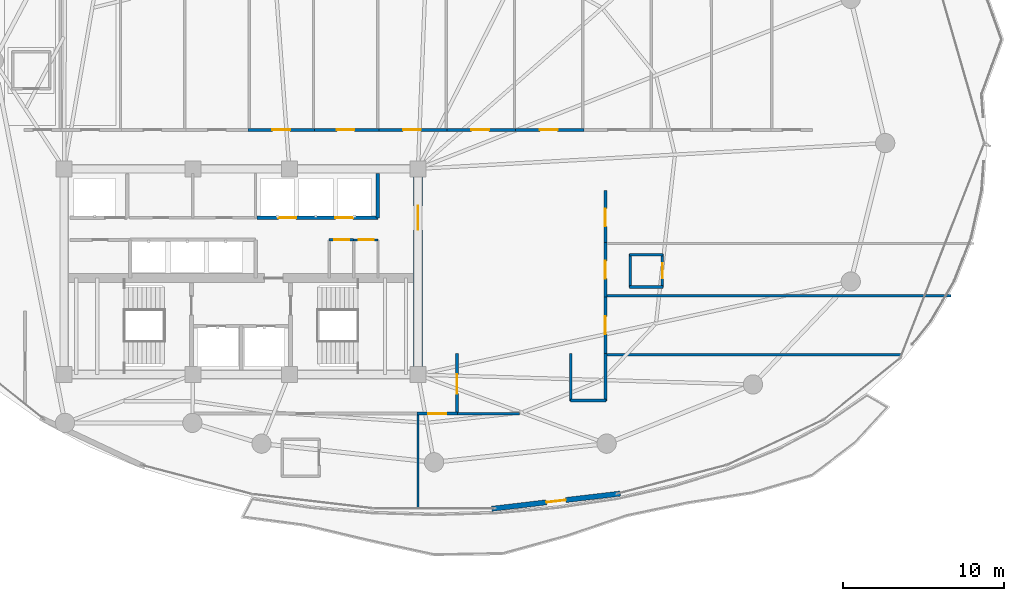
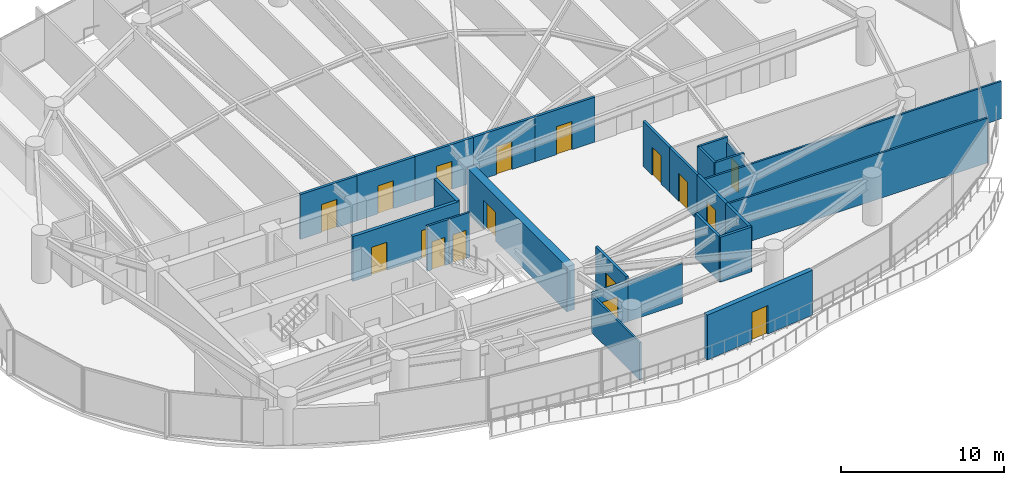
# One storey, part 27 of 34: 27 walls, 17 doors, 17 openings.
"""IFC4 building model written with IfcOpenShell, lengths in metres."""

import ifcopenshell
import ifcopenshell.guid

model = None  # the IFC model being written
_history = None  # IfcOwnerHistory: only IFC2X3 demands one
_inside = {}  # id of a spatial element -> (the spatial element, [elements in it])
_under = {}  # id of a project, library or spatial element -> (it, [spatial elements below it])
_declared = {}  # id of a project -> (the project, [libraries it declares])
_typed = {}  # id of a type object -> (the type object, [elements of that type])
_made_of = {}  # id of a material, layer set ... -> (it, [elements and type objects made of it])


def new_model(schema):
    """Start an empty IFC model of exactly this schema.

    Asked for "IFC4X3", IfcOpenShell would pick the latest addendum, in which some entities
    have other attributes; the version numbers below select the first issue.
    IFC2X3 requires an IfcOwnerHistory on every rooted entity: one is made here for all.
    """
    global model, _history
    if schema == "IFC4X3":
        model = ifcopenshell.file(schema_version=(4, 3, 0, 0))
    else:
        model = ifcopenshell.file(schema=schema)
    _inside.clear()
    _under.clear()
    _declared.clear()
    _typed.clear()
    _made_of.clear()
    _history = None
    if model.schema == "IFC2X3":
        org = make("IfcOrganization", Name="unknown")
        user = make(
            "IfcPersonAndOrganization",
            ThePerson=make("IfcPerson", FamilyName="unknown"),
            TheOrganization=org,
        )
        app = make(
            "IfcApplication",
            ApplicationDeveloper=org,
            Version="unknown",
            ApplicationFullName="unknown",
            ApplicationIdentifier="unknown",
        )
        _history = make(
            "IfcOwnerHistory",
            OwningUser=user,
            OwningApplication=app,
            ChangeAction="ADDED",
            CreationDate=0,
        )
    return model


def make(cls, **values):
    """One entity of the class cls with the attributes given. An attribute that is None is left unset."""
    return model.create_entity(
        cls, **{name: value for name, value in values.items() if value is not None}
    )


def rooted(cls, **values):
    """An entity with a GlobalId (a new one), such as an element, a storey or a relation."""
    return make(cls, GlobalId=ifcopenshell.guid.new(), OwnerHistory=_history, **values)


def si_unit(unit_type, name, prefix=None):
    """IfcSIUnit, for example si_unit("LENGTHUNIT", "METRE", prefix="MILLI")."""
    return make("IfcSIUnit", UnitType=unit_type, Prefix=prefix, Name=name)


def assignment(units):
    """IfcUnitAssignment: the units of a project."""
    return None if units is None else make("IfcUnitAssignment", Units=units)


def point(xyz):
    """IfcCartesianPoint."""
    return None if xyz is None else make("IfcCartesianPoint", Coordinates=xyz)


def direction(xyz):
    """IfcDirection."""
    return None if xyz is None else make("IfcDirection", DirectionRatios=xyz)


def frame(location, z_axis=None, x_axis=None):
    """IfcAxis2Placement3D, a coordinate frame: its origin and axes. An axis left out is left unset."""
    return make(
        "IfcAxis2Placement3D",
        Location=point(location),
        Axis=direction(z_axis),
        RefDirection=direction(x_axis),
    )


def frame_2d(location, x_axis=None):
    """IfcAxis2Placement2D, a coordinate frame in the plane: its origin and x axis."""
    return make(
        "IfcAxis2Placement2D", Location=point(location), RefDirection=direction(x_axis)
    )


def origin():
    """The frame at (0, 0, 0) with its axes left unset."""
    return frame((0.0, 0.0, 0.0))


def place(relative_to, where):
    """IfcLocalPlacement: puts the frame where relative to a parent placement (None: the world)."""
    return make(
        "IfcLocalPlacement", PlacementRelTo=relative_to, RelativePlacement=where
    )


def context(
    kind, dimensions, precision=None, world=None, true_north=None, identifier=None
):
    """IfcGeometricRepresentationContext, for example the 3D "Model" context."""
    return make(
        "IfcGeometricRepresentationContext",
        ContextIdentifier=identifier,
        ContextType=kind,
        CoordinateSpaceDimension=dimensions,
        Precision=precision,
        WorldCoordinateSystem=world,
        TrueNorth=true_north,
    )


def subcontext(parent, identifier, kind, view, scale=None):
    """IfcGeometricRepresentationSubContext, for example "Body" below "Model"."""
    return make(
        "IfcGeometricRepresentationSubContext",
        ContextIdentifier=identifier,
        ContextType=kind,
        ParentContext=parent,
        TargetScale=scale,
        TargetView=view,
    )


def project(units=None, contexts=None):
    """IfcProject with its units and contexts."""
    return rooted(
        "IfcProject",
        Name="project",
        RepresentationContexts=contexts,
        UnitsInContext=assignment(units),
    )


def spatial(cls, under=None, at=None, **own):
    """A site, building, storey or space (cls), placed at a placement, below another one or the project."""
    s = rooted(cls, ObjectPlacement=at, **own)
    if under is not None:
        _under.setdefault(under.id(), (under, []))[1].append(s)
    return s


def profile(cls, at=None, kind="AREA", **sizes):
    """A parametric profile (cls). Its sizes go by their IFC names, for example OverallWidth=200.0."""
    return make(cls, ProfileType=kind, Position=at, **sizes)


def rectangle(**sizes):
    """IfcRectangleProfileDef."""
    return profile("IfcRectangleProfileDef", **sizes)


def extrude(swept, where, along, depth):
    """IfcExtrudedAreaSolid: the profile swept, set in the frame where, extruded along a direction by depth."""
    return make(
        "IfcExtrudedAreaSolid",
        SweptArea=swept,
        Position=where,
        ExtrudedDirection=direction(along),
        Depth=depth,
    )


def shape(context_of_items, identifier, shape_type, items):
    """IfcShapeRepresentation: the items that make up one representation, for example the "Body"."""
    return make(
        "IfcShapeRepresentation",
        ContextOfItems=context_of_items,
        RepresentationIdentifier=identifier,
        RepresentationType=shape_type,
        Items=items,
    )


def material(Name=None, Category=None):
    """IfcMaterial."""
    return make("IfcMaterial", Name=Name, Category=Category)


def layer(
    of_material, thickness, ventilated=None, Name=None, Category=None, Priority=None
):
    """IfcMaterialLayer: one layer of a wall or slab, of a material (None: an air gap)."""
    return make(
        "IfcMaterialLayer",
        Material=of_material,
        LayerThickness=thickness,
        IsVentilated=ventilated,
        Name=Name,
        Category=Category,
        Priority=Priority,
    )


def layer_set(layers, Name=None):
    """IfcMaterialLayerSet."""
    return make("IfcMaterialLayerSet", MaterialLayers=layers, LayerSetName=Name)


def made_of(thing, what):
    """Note that an element or type object is made of a material, layer set ...; save() writes the relation."""
    if what is not None:
        _made_of.setdefault(what.id(), (what, []))[1].append(thing)
    return thing


def type_object(cls, material=None, **own):
    """A type object (cls), such as IfcWallType, which elements share."""
    return made_of(rooted(cls, **own), material)


def element(
    cls,
    number,
    at=None,
    inside=None,
    cuts=None,
    type_object=None,
    material=None,
    context=None,
    identifier="Body",
    shape_type=None,
    held_by="IfcProductDefinitionShape",
    body=None,
    shapes=None,
    **own,
):
    """One element of the class cls, such as IfcWall. Its Tag is "e" and its number.

    at: its placement. inside: the storey or other place that contains it. cuts: it is an
    opening in that element (IfcRelVoidsElement). A single representation is given by context,
    identifier, shape_type and body (its items); several are given by shapes. held_by: the class
    of the entity that holds the representations. save() writes the other relations.
    """
    e = rooted(cls, Tag="e%d" % number, ObjectPlacement=at, **own)
    if body is not None:
        shapes = [shape(context, identifier, shape_type, body)]
    if shapes is not None:
        e.Representation = make(held_by, Representations=shapes)
    if inside is not None:
        _inside.setdefault(inside.id(), (inside, []))[1].append(e)
    if cuts is not None:
        rooted(
            "IfcRelVoidsElement", RelatingBuildingElement=cuts, RelatedOpeningElement=e
        )
    if type_object is not None:
        _typed.setdefault(type_object.id(), (type_object, []))[1].append(e)
    return made_of(e, material)


def fill(opening, filler):
    """IfcRelFillsElement: the door or window that sits in an opening."""
    return rooted(
        "IfcRelFillsElement",
        RelatingOpeningElement=opening,
        RelatedBuildingElement=filler,
    )


def aggregate(whole, parts):
    """IfcRelAggregates: a whole, such as a stair, and the parts it consists of."""
    return rooted("IfcRelAggregates", RelatingObject=whole, RelatedObjects=parts)


def save(model, path):
    """Write the relations noted so far, then the file.

    IfcRelAggregates (storeys below a building ...), IfcRelContainedInSpatialStructure (elements
    in a storey), IfcRelDefinesByType, IfcRelAssociatesMaterial and IfcRelDeclares: one each for
    every whole, place, type object, material and project.
    """
    for whole, parts in _under.values():
        aggregate(whole, parts)
    for where, things in _inside.values():
        rooted(
            "IfcRelContainedInSpatialStructure",
            RelatedElements=things,
            RelatingStructure=where,
        )
    for kind, things in _typed.values():
        rooted("IfcRelDefinesByType", RelatedObjects=things, RelatingType=kind)
    for what, things in _made_of.values():
        rooted("IfcRelAssociatesMaterial", RelatedObjects=things, RelatingMaterial=what)
    for by, libraries in _declared.values():
        rooted("IfcRelDeclares", RelatingContext=by, RelatedDefinitions=libraries)
    model.write(path)


model = new_model("IFC4")

# Units and contexts
model_context = context("Model", 3, precision=1e-05, world=origin(), true_north=direction((0.0, 1.0)))
body_context = subcontext(model_context, "Body", "Model", "MODEL_VIEW")
ifc_project = project(units=[si_unit("LENGTHUNIT", "METRE"), si_unit("AREAUNIT", "SQUARE_METRE"), si_unit("VOLUMEUNIT", "CUBIC_METRE"), si_unit("PLANEANGLEUNIT", "RADIAN"), si_unit("MASSUNIT", "GRAM", prefix="KILO")], contexts=[model_context])

# Site, building, storey
site_placement = place(None, origin())
site = spatial("IfcSite", under=ifc_project, at=site_placement, CompositionType="ELEMENT")
building_placement = place(site_placement, origin())
building = spatial("IfcBuilding", under=site, at=building_placement, Name="Kazevale Care Tower and Concert Hall", CompositionType="ELEMENT")
storey_placement = place(building_placement, frame((0.0, 0.0, 160.199951171875)))
storey = spatial("IfcBuildingStorey", under=building, at=storey_placement, Name="L42", CompositionType="ELEMENT", Elevation=160.199951171875)

# Wall, opening, door
ifc_material_1 = material(Name="Acoustic Gypsum on Steel Stud", Category="steel")
ifc_layer_1 = layer(ifc_material_1, 0.139892578125)
ifc_layer_set_1 = layer_set([ifc_layer_1], Name="Acoustic Gypsum on Steel Stud")
wall_type_1 = type_object("IfcWallType", Name="Acoustic Care & Suite Partition 140", PredefinedType="PARTITIONING", material=ifc_layer_set_1)
wall_1_placement = place(storey_placement, frame((40.0, 31.97998046875, 0.0), z_axis=(0.0, 0.0, 1.0), x_axis=(1.0, 0.0, 0.0)))
wall_1 = element("IfcWall", 1, at=wall_1_placement, inside=storey, type_object=wall_type_1, Name="wall:L42:ka_en2", PredefinedType="PARTITIONING", context=body_context, shape_type="SweptSolid", body=[
    extrude(rectangle(XDim=1.52001953125, YDim=0.139892578125, at=frame_2d((0.760009765625, 0.0))), origin(), (0.0, 0.0, 1.0), 3.360107421875),
])
opening_1_placement = place(wall_1_placement, frame((0.320068359375, 0.0, 0.0)))
opening_1 = element("IfcOpeningElement", 2, at=opening_1_placement, cuts=wall_1, Name="Opening ID-900", PredefinedType="OPENING", context=body_context, shape_type="SweptSolid", body=[
    extrude(rectangle(XDim=0.919921875, YDim=2.10009765625, at=frame_2d((0.4599609375, 1.050048828125))), frame((0.0, 0.079833984375, 0.0), z_axis=(0.0, -1.0, 0.0), x_axis=(1.0, 0.0, 0.0)), (0.0, 0.0, 1.0), 0.159912109375),
])
ifc_material_2 = material(Name="Oak Timber Fire Leaf", Category="wood")
door_type_1 = type_object("IfcDoorType", Name="Bathroom & Service Door 920x2100", OperationType="NOTDEFINED", PredefinedType="DOOR", material=ifc_material_2)
door_1_placement = place(opening_1_placement, origin())
door_1 = element("IfcDoor", 3, at=door_1_placement, inside=storey, type_object=door_type_1, Name="door:L42:d_kae2", OperationType="SINGLE_SWING_RIGHT", OverallHeight=2.10009765625, OverallWidth=0.919921875, PredefinedType="DOOR", context=body_context, shape_type="SweptSolid", body=[
    extrude(rectangle(XDim=0.919921875, YDim=2.10009765625, at=frame_2d((0.4599609375, 1.050048828125))), frame((0.0, 0.02490234375, 0.0), z_axis=(0.0, -1.0, 0.0), x_axis=(1.0, 0.0, 0.0)), (0.0, 0.0, 1.0), 0.050048828125),
])
fill(opening_1, door_1)

# Walls
wall_2_placement = place(storey_placement, frame((55.6201171875, 24.840087890625, 0.0), z_axis=(0.0, 0.0, 1.0), x_axis=(1.0, 0.0, 0.0)))
element("IfcWall", 4, at=wall_2_placement, inside=storey, type_object=wall_type_1, Name="wall:L42:auto_036", PredefinedType="PARTITIONING", context=body_context, shape_type="SweptSolid", body=[
    extrude(rectangle(XDim=18.44482421875, YDim=0.139892578125, at=frame_2d((9.222412109375, 0.0))), origin(), (0.0, 0.0, 1.0), 3.360107421875),
])
wall_3_placement = place(storey_placement, frame((50.31494140625, 21.175048828125, 0.0), z_axis=(0.0, 0.0, 1.0), x_axis=(-1.0, 0.0, 0.0)))
element("IfcWall", 5, at=wall_3_placement, inside=storey, type_object=wall_type_1, Name="wall:L42:auto_037", PredefinedType="PARTITIONING", context=body_context, shape_type="SweptSolid", body=[
    extrude(rectangle(XDim=3.919921875, YDim=0.139892578125, at=frame_2d((1.9599609375, 0.0))), origin(), (0.0, 0.0, 1.0), 2.99609375),
])
wall_4_placement = place(storey_placement, frame((55.6201171875, 28.5, 0.0), z_axis=(0.0, 0.0, 1.0), x_axis=(1.0, 0.0, 0.0)))
element("IfcWall", 6, at=wall_4_placement, inside=storey, type_object=wall_type_1, Name="wall:L42:auto_038", PredefinedType="PARTITIONING", context=body_context, shape_type="SweptSolid", body=[
    extrude(rectangle(XDim=21.519775390625, YDim=0.139892578125, at=frame_2d((10.759765625, 0.0))), origin(), (0.0, 0.0, 1.0), 2.80615234375),
])
wall_5_placement = place(storey_placement, frame((44.0, 21.205078125, 0.0), z_axis=(0.0, 0.0, 1.0), x_axis=(0.0, -1.0, 0.0)))
element("IfcWall", 7, at=wall_5_placement, inside=storey, type_object=wall_type_1, Name="wall:L42:auto_040", PredefinedType="PARTITIONING", context=body_context, shape_type="SweptSolid", body=[
    extrude(rectangle(XDim=5.906005859375, YDim=0.139892578125, at=frame_2d((2.953125, 0.0))), origin(), (0.0, 0.0, 1.0), 2.80615234375),
])

# Wall, opening, door
ifc_material_3 = material(Name="Concrete C60", Category="concrete")
ifc_layer_2 = layer(ifc_material_3, 0.550048828125)
ifc_layer_set_2 = layer_set([ifc_layer_2], Name="Concrete C60")
wall_type_2 = type_object("IfcWallType", Name="Core Shear Wall 550 C60", PredefinedType="SHEAR", material=ifc_layer_set_2)
wall_6_placement = place(storey_placement, frame((44.0, 23.875, 0.0), z_axis=(0.0, 0.0, 1.0), x_axis=(0.0, 1.0, 0.0)))
wall_6 = element("IfcWall", 8, at=wall_6_placement, inside=storey, type_object=wall_type_2, Name="wall:L42:core:E", PredefinedType="SHEAR", context=body_context, shape_type="SweptSolid", body=[
    extrude(rectangle(XDim=12.25, YDim=0.550048828125, at=frame_2d((6.125, 0.0))), origin(), (0.0, 0.0, 1.0), 3.360107421875),
])
opening_2_placement = place(wall_6_placement, frame((8.72509765625, 0.0, 0.0)))
opening_2 = element("IfcOpeningElement", 9, at=opening_2_placement, cuts=wall_6, Name="Opening FD-60D", PredefinedType="OPENING", context=body_context, shape_type="SweptSolid", body=[
    extrude(rectangle(XDim=1.5, YDim=2.14990234375, at=frame_2d((0.75, 1.074951171875))), frame((0.0, 0.284912109375, 0.0), z_axis=(0.0, -1.0, 0.0), x_axis=(1.0, 0.0, 0.0)), (0.0, 0.0, 1.0), 0.570068359375),
])
door_type_2 = type_object("IfcDoorType", Name="Double Lobby & Auditorium Fire Door 1500x2150", OperationType="NOTDEFINED", PredefinedType="DOOR", material=ifc_material_2)
door_2_placement = place(opening_2_placement, origin())
door_2 = element("IfcDoor", 10, at=door_2_placement, inside=storey, type_object=door_type_2, Name="door:L42:core_east_out", OperationType="DOUBLE_DOOR_SINGLE_SWING", OverallHeight=2.14990234375, OverallWidth=1.5, PredefinedType="DOOR", context=body_context, shape_type="SweptSolid", body=[
    extrude(rectangle(XDim=1.5, YDim=2.14990234375, at=frame_2d((0.75, 1.074951171875))), frame((0.0, 0.02490234375, 0.0), z_axis=(0.0, -1.0, 0.0), x_axis=(1.0, 0.0, 0.0)), (0.0, 0.0, 1.0), 0.050048828125),
])
fill(opening_2, door_2)

# Wall, openings, doors
ifc_material_4 = material(Name="Concrete C40", Category="concrete")
ifc_layer_3 = layer(ifc_material_4, 0.219970703125)
ifc_layer_set_3 = layer_set([ifc_layer_3], Name="Concrete C40")
wall_type_3 = type_object("IfcWallType", Name="Elevator Hoistway Shaft Wall 220", PredefinedType="SOLIDWALL", material=ifc_layer_set_3)
wall_7_placement = place(storey_placement, frame((33.97998046875, 33.35009765625, 0.0), z_axis=(0.0, 0.0, 1.0), x_axis=(1.0, 0.0, 0.0)))
wall_7 = element("IfcWall", 11, at=wall_7_placement, inside=storey, type_object=wall_type_3, Name="wall:L42:c_pm_s", PredefinedType="SOLIDWALL", context=body_context, shape_type="SweptSolid", body=[
    extrude(rectangle(XDim=7.5400390625, YDim=0.219970703125, at=frame_2d((3.77001953125, 0.0))), origin(), (0.0, 0.0, 1.0), 3.360107421875),
])
opening_3_placement = place(wall_7_placement, frame((1.3349609375, 0.0, 0.0)))
opening_3 = element("IfcOpeningElement", 12, at=opening_3_placement, cuts=wall_7, Name="Opening LD-PAX", PredefinedType="OPENING", context=body_context, shape_type="SweptSolid", body=[
    extrude(rectangle(XDim=1.10009765625, YDim=2.10009765625, at=frame_2d((0.550048828125, 1.050048828125))), frame((0.0, 0.119873046875, 0.0), z_axis=(0.0, -1.0, 0.0), x_axis=(1.0, 0.0, 0.0)), (0.0, 0.0, 1.0), 0.239990234375),
])
opening_4_placement = place(wall_7_placement, frame((4.87890625, 0.0, 0.0)))
opening_4 = element("IfcOpeningElement", 13, at=opening_4_placement, cuts=wall_7, Name="Opening LD-PAX", PredefinedType="OPENING", context=body_context, shape_type="SweptSolid", body=[
    extrude(rectangle(XDim=1.10009765625, YDim=2.10009765625, at=frame_2d((0.550048828125, 1.050048828125))), frame((0.0, 0.119873046875, 0.0), z_axis=(0.0, -1.0, 0.0), x_axis=(1.0, 0.0, 0.0)), (0.0, 0.0, 1.0), 0.239990234375),
])
ifc_material_5 = material(Name="Stainless Steel 316", Category="steel")
door_type_3 = type_object("IfcDoorType", Name="Passenger Lift Sliding Landing Door 1100x2100", OperationType="NOTDEFINED", PredefinedType="DOOR", material=ifc_material_5)
door_3_placement = place(opening_3_placement, origin())
door_3 = element("IfcDoor", 14, at=door_3_placement, inside=storey, type_object=door_type_3, Name="door:L42:ld_pm1", OperationType="SLIDING_TO_LEFT", OverallHeight=2.10009765625, OverallWidth=1.10009765625, PredefinedType="DOOR", context=body_context, shape_type="SweptSolid", body=[
    extrude(rectangle(XDim=1.10009765625, YDim=2.10009765625, at=frame_2d((0.550048828125, 1.050048828125))), frame((0.0, 0.02490234375, 0.0), z_axis=(0.0, -1.0, 0.0), x_axis=(1.0, 0.0, 0.0)), (0.0, 0.0, 1.0), 0.050048828125),
])
fill(opening_3, door_3)
door_4_placement = place(opening_4_placement, origin())
door_4 = element("IfcDoor", 15, at=door_4_placement, inside=storey, type_object=door_type_3, Name="door:L42:ld_pm2", OperationType="SLIDING_TO_RIGHT", OverallHeight=2.10009765625, OverallWidth=1.10009765625, PredefinedType="DOOR", context=body_context, shape_type="SweptSolid", body=[
    extrude(rectangle(XDim=1.10009765625, YDim=2.10009765625, at=frame_2d((0.550048828125, 1.050048828125))), frame((0.0, 0.02490234375, 0.0), z_axis=(0.0, -1.0, 0.0), x_axis=(1.0, 0.0, 0.0)), (0.0, 0.0, 1.0), 0.050048828125),
])
fill(opening_4, door_4)

# Wall
wall_8_placement = place(storey_placement, frame((41.5, 33.35009765625, 0.0), z_axis=(0.0, 0.0, 1.0), x_axis=(0.0, 1.0, 0.0)))
element("IfcWall", 16, at=wall_8_placement, inside=storey, type_object=wall_type_3, Name="wall:L42:c_pm_e", PredefinedType="SOLIDWALL", context=body_context, shape_type="SweptSolid", body=[
    extrude(rectangle(XDim=2.75, YDim=0.219970703125, at=frame_2d((1.375, 0.0))), origin(), (0.0, 0.0, 1.0), 3.360107421875),
])

# Wall, opening, door
ifc_material_6 = material(Name="Concrete C40 and Acoustic Gypsum", Category="concrete")
ifc_layer_4 = layer(ifc_material_6, 0.179931640625)
ifc_layer_set_4 = layer_set([ifc_layer_4], Name="Concrete C40 and Acoustic Gypsum")
wall_type_4 = type_object("IfcWallType", Name="Fire-Rated Corridor & Party Wall 180", PredefinedType="PARTITIONING", material=ifc_layer_set_4)
wall_9_placement = place(storey_placement, frame((33.43505859375, 38.824951171875, 0.0), z_axis=(0.0, 0.0, 1.0), x_axis=(1.0, 0.0, 0.0)))
wall_9 = element("IfcWall", 17, at=wall_9_placement, inside=storey, type_object=wall_type_4, Name="wall:L42:auto_005", PredefinedType="PARTITIONING", context=body_context, shape_type="SweptSolid", body=[
    extrude(rectangle(XDim=4.1298828125, YDim=0.179931640625, at=frame_2d((2.06494140625, 0.0))), origin(), (0.0, 0.0, 1.0), 3.360107421875),
])
opening_5_placement = place(wall_9_placement, frame((1.514892578125, 0.0, 0.0)))
opening_5 = element("IfcOpeningElement", 18, at=opening_5_placement, cuts=wall_9, Name="Opening ID-1100", PredefinedType="OPENING", context=body_context, shape_type="SweptSolid", body=[
    extrude(rectangle(XDim=1.10009765625, YDim=2.10009765625, at=frame_2d((0.550048828125, 1.050048828125))), frame((0.0, 0.099853515625, 0.0), z_axis=(0.0, -1.0, 0.0), x_axis=(1.0, 0.0, 0.0)), (0.0, 0.0, 1.0), 0.199951171875),
])
door_type_4 = type_object("IfcDoorType", Name="Care Bedroom Accessible Door 1100x2100", OperationType="NOTDEFINED", PredefinedType="DOOR", material=ifc_material_2)
door_5_placement = place(opening_5_placement, origin())
door_5 = element("IfcDoor", 19, at=door_5_placement, inside=storey, type_object=door_type_4, Name="door:L42:ad_005", OperationType="SINGLE_SWING_LEFT", OverallHeight=2.10009765625, OverallWidth=1.10009765625, PredefinedType="DOOR", context=body_context, shape_type="SweptSolid", body=[
    extrude(rectangle(XDim=1.10009765625, YDim=2.10009765625, at=frame_2d((0.550048828125, 1.050048828125))), frame((0.0, 0.02490234375, 0.0), z_axis=(0.0, -1.0, 0.0), x_axis=(1.0, 0.0, 0.0)), (0.0, 0.0, 1.0), 0.050048828125),
])
fill(opening_5, door_5)

wall_10_placement = place(storey_placement, frame((37.43505859375, 38.824951171875, 0.0), z_axis=(0.0, 0.0, 1.0), x_axis=(1.0, 0.0, 0.0)))
wall_10 = element("IfcWall", 20, at=wall_10_placement, inside=storey, type_object=wall_type_4, Name="wall:L42:auto_006", PredefinedType="PARTITIONING", context=body_context, shape_type="SweptSolid", body=[
    extrude(rectangle(XDim=4.1298828125, YDim=0.179931640625, at=frame_2d((2.06494140625, 0.0))), origin(), (0.0, 0.0, 1.0), 3.360107421875),
])
opening_6_placement = place(wall_10_placement, frame((1.514892578125, 0.0, 0.0)))
opening_6 = element("IfcOpeningElement", 21, at=opening_6_placement, cuts=wall_10, Name="Opening ID-1100", PredefinedType="OPENING", context=body_context, shape_type="SweptSolid", body=[
    extrude(rectangle(XDim=1.10009765625, YDim=2.10009765625, at=frame_2d((0.550048828125, 1.050048828125))), frame((0.0, 0.099853515625, 0.0), z_axis=(0.0, -1.0, 0.0), x_axis=(1.0, 0.0, 0.0)), (0.0, 0.0, 1.0), 0.199951171875),
])
door_6_placement = place(opening_6_placement, origin())
door_6 = element("IfcDoor", 22, at=door_6_placement, inside=storey, type_object=door_type_4, Name="door:L42:ad_006", OperationType="SINGLE_SWING_LEFT", OverallHeight=2.10009765625, OverallWidth=1.10009765625, PredefinedType="DOOR", context=body_context, shape_type="SweptSolid", body=[
    extrude(rectangle(XDim=1.10009765625, YDim=2.10009765625, at=frame_2d((0.550048828125, 1.050048828125))), frame((0.0, 0.02490234375, 0.0), z_axis=(0.0, -1.0, 0.0), x_axis=(1.0, 0.0, 0.0)), (0.0, 0.0, 1.0), 0.050048828125),
])
fill(opening_6, door_6)

wall_11_placement = place(storey_placement, frame((41.43505859375, 38.824951171875, 0.0), z_axis=(0.0, 0.0, 1.0), x_axis=(1.0, 0.0, 0.0)))
wall_11 = element("IfcWall", 23, at=wall_11_placement, inside=storey, type_object=wall_type_4, Name="wall:L42:auto_007", PredefinedType="PARTITIONING", context=body_context, shape_type="SweptSolid", body=[
    extrude(rectangle(XDim=4.3798828125, YDim=0.179931640625, at=frame_2d((2.18994140625, 0.0))), origin(), (0.0, 0.0, 1.0), 3.360107421875),
])
opening_7_placement = place(wall_11_placement, frame((1.639892578125, 0.0, 0.0)))
opening_7 = element("IfcOpeningElement", 24, at=opening_7_placement, cuts=wall_11, Name="Opening ID-1100", PredefinedType="OPENING", context=body_context, shape_type="SweptSolid", body=[
    extrude(rectangle(XDim=1.10009765625, YDim=2.10009765625, at=frame_2d((0.550048828125, 1.050048828125))), frame((0.0, 0.099853515625, 0.0), z_axis=(0.0, -1.0, 0.0), x_axis=(1.0, 0.0, 0.0)), (0.0, 0.0, 1.0), 0.199951171875),
])
door_7_placement = place(opening_7_placement, origin())
door_7 = element("IfcDoor", 25, at=door_7_placement, inside=storey, type_object=door_type_4, Name="door:L42:ad_007", OperationType="SINGLE_SWING_LEFT", OverallHeight=2.10009765625, OverallWidth=1.10009765625, PredefinedType="DOOR", context=body_context, shape_type="SweptSolid", body=[
    extrude(rectangle(XDim=1.10009765625, YDim=2.10009765625, at=frame_2d((0.550048828125, 1.050048828125))), frame((0.0, 0.02490234375, 0.0), z_axis=(0.0, -1.0, 0.0), x_axis=(1.0, 0.0, 0.0)), (0.0, 0.0, 1.0), 0.050048828125),
])
fill(opening_7, door_7)

wall_12_placement = place(storey_placement, frame((45.68505859375, 38.824951171875, 0.0), z_axis=(0.0, 0.0, 1.0), x_axis=(1.0, 0.0, 0.0)))
wall_12 = element("IfcWall", 26, at=wall_12_placement, inside=storey, type_object=wall_type_4, Name="wall:L42:auto_008", PredefinedType="PARTITIONING", context=body_context, shape_type="SweptSolid", body=[
    extrude(rectangle(XDim=4.3798828125, YDim=0.179931640625, at=frame_2d((2.18994140625, 0.0))), origin(), (0.0, 0.0, 1.0), 3.360107421875),
])
opening_8_placement = place(wall_12_placement, frame((1.639892578125, 0.0, 0.0)))
opening_8 = element("IfcOpeningElement", 27, at=opening_8_placement, cuts=wall_12, Name="Opening ID-1100", PredefinedType="OPENING", context=body_context, shape_type="SweptSolid", body=[
    extrude(rectangle(XDim=1.10009765625, YDim=2.10009765625, at=frame_2d((0.550048828125, 1.050048828125))), frame((0.0, 0.099853515625, 0.0), z_axis=(0.0, -1.0, 0.0), x_axis=(1.0, 0.0, 0.0)), (0.0, 0.0, 1.0), 0.199951171875),
])
door_8_placement = place(opening_8_placement, origin())
door_8 = element("IfcDoor", 28, at=door_8_placement, inside=storey, type_object=door_type_4, Name="door:L42:ad_008", OperationType="SINGLE_SWING_LEFT", OverallHeight=2.10009765625, OverallWidth=1.10009765625, PredefinedType="DOOR", context=body_context, shape_type="SweptSolid", body=[
    extrude(rectangle(XDim=1.10009765625, YDim=2.10009765625, at=frame_2d((0.550048828125, 1.050048828125))), frame((0.0, 0.02490234375, 0.0), z_axis=(0.0, -1.0, 0.0), x_axis=(1.0, 0.0, 0.0)), (0.0, 0.0, 1.0), 0.050048828125),
])
fill(opening_8, door_8)

wall_13_placement = place(storey_placement, frame((49.93505859375, 38.824951171875, 0.0), z_axis=(0.0, 0.0, 1.0), x_axis=(1.0, 0.0, 0.0)))
wall_13 = element("IfcWall", 29, at=wall_13_placement, inside=storey, type_object=wall_type_4, Name="wall:L42:auto_009", PredefinedType="PARTITIONING", context=body_context, shape_type="SweptSolid", body=[
    extrude(rectangle(XDim=4.3798828125, YDim=0.179931640625, at=frame_2d((2.18994140625, 0.0))), origin(), (0.0, 0.0, 1.0), 3.360107421875),
])
opening_9_placement = place(wall_13_placement, frame((1.639892578125, 0.0, 0.0)))
opening_9 = element("IfcOpeningElement", 30, at=opening_9_placement, cuts=wall_13, Name="Opening ID-1100", PredefinedType="OPENING", context=body_context, shape_type="SweptSolid", body=[
    extrude(rectangle(XDim=1.10009765625, YDim=2.10009765625, at=frame_2d((0.550048828125, 1.050048828125))), frame((0.0, 0.099853515625, 0.0), z_axis=(0.0, -1.0, 0.0), x_axis=(1.0, 0.0, 0.0)), (0.0, 0.0, 1.0), 0.199951171875),
])
door_9_placement = place(opening_9_placement, origin())
door_9 = element("IfcDoor", 31, at=door_9_placement, inside=storey, type_object=door_type_4, Name="door:L42:ad_009", OperationType="SINGLE_SWING_LEFT", OverallHeight=2.10009765625, OverallWidth=1.10009765625, PredefinedType="DOOR", context=body_context, shape_type="SweptSolid", body=[
    extrude(rectangle(XDim=1.10009765625, YDim=2.10009765625, at=frame_2d((0.550048828125, 1.050048828125))), frame((0.0, 0.02490234375, 0.0), z_axis=(0.0, -1.0, 0.0), x_axis=(1.0, 0.0, 0.0)), (0.0, 0.0, 1.0), 0.050048828125),
])
fill(opening_9, door_9)

wall_14_placement = place(storey_placement, frame((46.425048828125, 24.905029296875, 0.0), z_axis=(0.0, 0.0, 1.0), x_axis=(0.0, -1.0, 0.0)))
wall_14 = element("IfcWall", 32, at=wall_14_placement, inside=storey, type_object=wall_type_4, Name="wall:L42:auto_014", PredefinedType="PARTITIONING", context=body_context, shape_type="SweptSolid", body=[
    extrude(rectangle(XDim=3.760009765625, YDim=0.179931640625, at=frame_2d((1.8798828125, 0.0))), origin(), (0.0, 0.0, 1.0), 3.360107421875),
])
opening_10_placement = place(wall_14_placement, frame((1.280029296875, 0.0, 0.0)))
opening_10 = element("IfcOpeningElement", 33, at=opening_10_placement, cuts=wall_14, Name="Opening ID-1200", PredefinedType="OPENING", context=body_context, shape_type="SweptSolid", body=[
    extrude(rectangle(XDim=1.199951171875, YDim=2.14990234375, at=frame_2d((0.60009765625, 1.074951171875))), frame((0.0, 0.099853515625, 0.0), z_axis=(0.0, -1.0, 0.0), x_axis=(1.0, 0.0, 0.0)), (0.0, 0.0, 1.0), 0.199951171875),
])
door_type_5 = type_object("IfcDoorType", Name="Clinical & Therapy Door 1200x2150", OperationType="NOTDEFINED", PredefinedType="DOOR", material=ifc_material_2)
door_10_placement = place(opening_10_placement, origin())
door_10 = element("IfcDoor", 34, at=door_10_placement, inside=storey, type_object=door_type_5, Name="door:L42:ad_014", OperationType="SINGLE_SWING_LEFT", OverallHeight=2.14990234375, OverallWidth=1.199951171875, PredefinedType="DOOR", context=body_context, shape_type="SweptSolid", body=[
    extrude(rectangle(XDim=1.199951171875, YDim=2.14990234375, at=frame_2d((0.60009765625, 1.074951171875))), frame((0.0, 0.02490234375, 0.0), z_axis=(0.0, -1.0, 0.0), x_axis=(1.0, 0.0, 0.0)), (0.0, 0.0, 1.0), 0.050048828125),
])
fill(opening_10, door_10)

# Walls
for number, where, z_axis, x_axis, name in (
    (35, (55.64990234375, 24.905029296875, 0.0), (0.0, 0.0, 1.0), (0.0, -1.0, 0.0), "wall:L42:auto_015"),
    (36, (53.5, 21.969970703125, 0.0), (0.0, 0.0, 1.0), (0.0, 1.0, 0.0), "wall:L42:auto_016"),
):
    element("IfcWall", number, at=place(storey_placement, frame(where, z_axis=z_axis, x_axis=x_axis)), inside=storey, type_object=wall_type_4, Name=name, PredefinedType="PARTITIONING", context=body_context, shape_type="SweptSolid", body=[
        extrude(rectangle(XDim=2.93505859375, YDim=0.179931640625, at=frame_2d((1.467529296875, 0.0))), origin(), (0.0, 0.0, 1.0), 3.360107421875),
    ])
wall_15_placement = place(storey_placement, frame((55.679931640625, 22.0, 0.0), z_axis=(0.0, 0.0, 1.0), x_axis=(-1.0, 0.0, 0.0)))
element("IfcWall", 37, at=wall_15_placement, inside=storey, type_object=wall_type_4, Name="wall:L42:auto_017", PredefinedType="PARTITIONING", context=body_context, shape_type="SweptSolid", body=[
    extrude(rectangle(XDim=2.2099609375, YDim=0.179931640625, at=frame_2d((1.10498046875, 0.0))), origin(), (0.0, 0.0, 1.0), 3.360107421875),
])

# Wall, opening, door
wall_16_placement = place(storey_placement, frame((55.64990234375, 28.56494140625, 0.0), z_axis=(0.0, 0.0, 1.0), x_axis=(0.0, -1.0, 0.0)))
wall_16 = element("IfcWall", 38, at=wall_16_placement, inside=storey, type_object=wall_type_4, Name="wall:L42:auto_018", PredefinedType="PARTITIONING", context=body_context, shape_type="SweptSolid", body=[
    extrude(rectangle(XDim=3.7900390625, YDim=0.179931640625, at=frame_2d((1.89501953125, 0.0))), origin(), (0.0, 0.0, 1.0), 3.360107421875),
])
opening_11_placement = place(wall_16_placement, frame((1.344970703125, 0.0, 0.0)))
opening_11 = element("IfcOpeningElement", 39, at=opening_11_placement, cuts=wall_16, Name="Opening ID-1100", PredefinedType="OPENING", context=body_context, shape_type="SweptSolid", body=[
    extrude(rectangle(XDim=1.10009765625, YDim=2.10009765625, at=frame_2d((0.550048828125, 1.050048828125))), frame((0.0, 0.099853515625, 0.0), z_axis=(0.0, -1.0, 0.0), x_axis=(1.0, 0.0, 0.0)), (0.0, 0.0, 1.0), 0.199951171875),
])
door_11_placement = place(opening_11_placement, origin())
door_11 = element("IfcDoor", 40, at=door_11_placement, inside=storey, type_object=door_type_4, Name="door:L42:ad_018", OperationType="SINGLE_SWING_LEFT", OverallHeight=2.10009765625, OverallWidth=1.10009765625, PredefinedType="DOOR", context=body_context, shape_type="SweptSolid", body=[
    extrude(rectangle(XDim=1.10009765625, YDim=2.10009765625, at=frame_2d((0.550048828125, 1.050048828125))), frame((0.0, 0.02490234375, 0.0), z_axis=(0.0, -1.0, 0.0), x_axis=(1.0, 0.0, 0.0)), (0.0, 0.0, 1.0), 0.050048828125),
])
fill(opening_11, door_11)

wall_17_placement = place(storey_placement, frame((55.64990234375, 31.81494140625, 0.0), z_axis=(0.0, 0.0, 1.0), x_axis=(0.0, -1.0, 0.0)))
wall_17 = element("IfcWall", 41, at=wall_17_placement, inside=storey, type_object=wall_type_4, Name="wall:L42:auto_019", PredefinedType="PARTITIONING", context=body_context, shape_type="SweptSolid", body=[
    extrude(rectangle(XDim=3.3798828125, YDim=0.179931640625, at=frame_2d((1.68994140625, 0.0))), origin(), (0.0, 0.0, 1.0), 3.360107421875),
])
opening_12_placement = place(wall_17_placement, frame((1.139892578125, 0.0, 0.0)))
opening_12 = element("IfcOpeningElement", 42, at=opening_12_placement, cuts=wall_17, Name="Opening ID-1100", PredefinedType="OPENING", context=body_context, shape_type="SweptSolid", body=[
    extrude(rectangle(XDim=1.10009765625, YDim=2.10009765625, at=frame_2d((0.550048828125, 1.050048828125))), frame((0.0, 0.099853515625, 0.0), z_axis=(0.0, -1.0, 0.0), x_axis=(1.0, 0.0, 0.0)), (0.0, 0.0, 1.0), 0.199951171875),
])
door_12_placement = place(opening_12_placement, origin())
door_12 = element("IfcDoor", 43, at=door_12_placement, inside=storey, type_object=door_type_4, Name="door:L42:ad_019", OperationType="SINGLE_SWING_LEFT", OverallHeight=2.10009765625, OverallWidth=1.10009765625, PredefinedType="DOOR", context=body_context, shape_type="SweptSolid", body=[
    extrude(rectangle(XDim=1.10009765625, YDim=2.10009765625, at=frame_2d((0.550048828125, 1.050048828125))), frame((0.0, 0.02490234375, 0.0), z_axis=(0.0, -1.0, 0.0), x_axis=(1.0, 0.0, 0.0)), (0.0, 0.0, 1.0), 0.050048828125),
])
fill(opening_12, door_12)

wall_18_placement = place(storey_placement, frame((55.64990234375, 35.06494140625, 0.0), z_axis=(0.0, 0.0, 1.0), x_axis=(0.0, -1.0, 0.0)))
wall_18 = element("IfcWall", 44, at=wall_18_placement, inside=storey, type_object=wall_type_4, Name="wall:L42:auto_020", PredefinedType="PARTITIONING", context=body_context, shape_type="SweptSolid", body=[
    extrude(rectangle(XDim=3.3798828125, YDim=0.179931640625, at=frame_2d((1.68994140625, 0.0))), origin(), (0.0, 0.0, 1.0), 3.360107421875),
])
opening_13_placement = place(wall_18_placement, frame((1.139892578125, 0.0, 0.0)))
opening_13 = element("IfcOpeningElement", 45, at=opening_13_placement, cuts=wall_18, Name="Opening ID-1100", PredefinedType="OPENING", context=body_context, shape_type="SweptSolid", body=[
    extrude(rectangle(XDim=1.10009765625, YDim=2.10009765625, at=frame_2d((0.550048828125, 1.050048828125))), frame((0.0, 0.099853515625, 0.0), z_axis=(0.0, -1.0, 0.0), x_axis=(1.0, 0.0, 0.0)), (0.0, 0.0, 1.0), 0.199951171875),
])
door_13_placement = place(opening_13_placement, origin())
door_13 = element("IfcDoor", 46, at=door_13_placement, inside=storey, type_object=door_type_4, Name="door:L42:ad_020", OperationType="SINGLE_SWING_LEFT", OverallHeight=2.10009765625, OverallWidth=1.10009765625, PredefinedType="DOOR", context=body_context, shape_type="SweptSolid", body=[
    extrude(rectangle(XDim=1.10009765625, YDim=2.10009765625, at=frame_2d((0.550048828125, 1.050048828125))), frame((0.0, 0.02490234375, 0.0), z_axis=(0.0, -1.0, 0.0), x_axis=(1.0, 0.0, 0.0)), (0.0, 0.0, 1.0), 0.050048828125),
])
fill(opening_13, door_13)

wall_19_placement = place(storey_placement, frame((46.455078125, 21.175048828125, 0.0), z_axis=(0.0, 0.0, 1.0), x_axis=(-1.0, 0.0, 0.0)))
wall_19 = element("IfcWall", 47, at=wall_19_placement, inside=storey, type_object=wall_type_4, Name="wall:L42:auto_022", PredefinedType="PARTITIONING", context=body_context, shape_type="SweptSolid", body=[
    extrude(rectangle(XDim=2.52001953125, YDim=0.179931640625, at=frame_2d((1.260009765625, 0.0))), origin(), (0.0, 0.0, 1.0), 2.99609375),
])
opening_14_placement = place(wall_19_placement, frame((0.7099609375, 0.0, 0.0)))
opening_14 = element("IfcOpeningElement", 48, at=opening_14_placement, cuts=wall_19, Name="Opening ID-1100", PredefinedType="OPENING", context=body_context, shape_type="SweptSolid", body=[
    extrude(rectangle(XDim=1.10009765625, YDim=2.10009765625, at=frame_2d((0.550048828125, 1.050048828125))), frame((0.0, 0.099853515625, 0.0), z_axis=(0.0, -1.0, 0.0), x_axis=(1.0, 0.0, 0.0)), (0.0, 0.0, 1.0), 0.199951171875),
])
door_14_placement = place(opening_14_placement, origin())
door_14 = element("IfcDoor", 49, at=door_14_placement, inside=storey, type_object=door_type_4, Name="door:L42:ad_022", OperationType="SINGLE_SWING_LEFT", OverallHeight=2.10009765625, OverallWidth=1.10009765625, PredefinedType="DOOR", context=body_context, shape_type="SweptSolid", body=[
    extrude(rectangle(XDim=1.10009765625, YDim=2.10009765625, at=frame_2d((0.550048828125, 1.050048828125))), frame((0.0, 0.02490234375, 0.0), z_axis=(0.0, -1.0, 0.0), x_axis=(1.0, 0.0, 0.0)), (0.0, 0.0, 1.0), 0.050048828125),
])
fill(opening_14, door_14)

ifc_layer_5 = layer(ifc_material_1, 0.159912109375)
ifc_layer_set_5 = layer_set([ifc_layer_5], Name="Acoustic Gypsum on Steel Stud")
wall_type_5 = type_object("IfcWallType", Name="Moisture-Resistant Bathroom Plumbing Wall 160", PredefinedType="PLUMBINGWALL", material=ifc_layer_set_5)
wall_20_placement = place(storey_placement, frame((38.47998046875, 31.97998046875, 0.0), z_axis=(0.0, 0.0, 1.0), x_axis=(1.0, 0.0, 0.0)))
wall_20 = element("IfcWall", 50, at=wall_20_placement, inside=storey, type_object=wall_type_5, Name="wall:L42:ka_en1", PredefinedType="PLUMBINGWALL", context=body_context, shape_type="SweptSolid", body=[
    extrude(rectangle(XDim=1.52001953125, YDim=0.159912109375, at=frame_2d((0.760009765625, 0.0))), origin(), (0.0, 0.0, 1.0), 3.360107421875),
])
opening_15_placement = place(wall_20_placement, frame((0.320068359375, 0.0, 0.0)))
opening_15 = element("IfcOpeningElement", 51, at=opening_15_placement, cuts=wall_20, Name="Opening ID-900", PredefinedType="OPENING", context=body_context, shape_type="SweptSolid", body=[
    extrude(rectangle(XDim=0.919921875, YDim=2.10009765625, at=frame_2d((0.4599609375, 1.050048828125))), frame((0.0, 0.08984375, 0.0), z_axis=(0.0, -1.0, 0.0), x_axis=(1.0, 0.0, 0.0)), (0.0, 0.0, 1.0), 0.179931640625),
])
door_15_placement = place(opening_15_placement, origin())
door_15 = element("IfcDoor", 52, at=door_15_placement, inside=storey, type_object=door_type_1, Name="door:L42:d_kae1", OperationType="SINGLE_SWING_LEFT", OverallHeight=2.10009765625, OverallWidth=0.919921875, PredefinedType="DOOR", context=body_context, shape_type="SweptSolid", body=[
    extrude(rectangle(XDim=0.919921875, YDim=2.10009765625, at=frame_2d((0.4599609375, 1.050048828125))), frame((0.0, 0.02490234375, 0.0), z_axis=(0.0, -1.0, 0.0), x_axis=(1.0, 0.0, 0.0)), (0.0, 0.0, 1.0), 0.050048828125),
])
fill(opening_15, door_15)

# Walls
for number, where, z_axis, x_axis, name in (
    (53, (57.159912109375, 29.050048828125, 0.0), (0.0, 0.0, 1.0), (1.0, 0.0, 0.0), "wall:L42:eb2a_ens_ws"),
    (54, (57.159912109375, 31.050048828125, 0.0), (0.0, 0.0, 1.0), (1.0, 0.0, 0.0), "wall:L42:eb2a_ens_wn"),
    (55, (57.199951171875, 29.010009765625, 0.0), (0.0, 0.0, 1.0), (0.0, 1.0, 0.0), "wall:L42:eb2a_ens_ww"),
):
    element("IfcWall", number, at=place(storey_placement, frame(where, z_axis=z_axis, x_axis=x_axis)), inside=storey, type_object=wall_type_5, Name=name, PredefinedType="PLUMBINGWALL", context=body_context, shape_type="SweptSolid", body=[
        extrude(rectangle(XDim=2.080078125, YDim=0.159912109375, at=frame_2d((1.0400390625, 0.0))), origin(), (0.0, 0.0, 1.0), 3.360107421875),
    ])

# Wall, opening, door
wall_21_placement = place(storey_placement, frame((59.199951171875, 29.010009765625, 0.0), z_axis=(0.0, 0.0, 1.0), x_axis=(0.0, 1.0, 0.0)))
wall_21 = element("IfcWall", 56, at=wall_21_placement, inside=storey, type_object=wall_type_5, Name="wall:L42:eb2a_ens_we", PredefinedType="PLUMBINGWALL", context=body_context, shape_type="SweptSolid", body=[
    extrude(rectangle(XDim=2.080078125, YDim=0.159912109375, at=frame_2d((1.0400390625, 0.0))), origin(), (0.0, 0.0, 1.0), 2.99609375),
])
opening_16_placement = place(wall_21_placement, frame((0.590087890625, 0.0, 0.0)))
opening_16 = element("IfcOpeningElement", 57, at=opening_16_placement, cuts=wall_21, Name="Opening ID-900", PredefinedType="OPENING", context=body_context, shape_type="SweptSolid", body=[
    extrude(rectangle(XDim=0.919921875, YDim=2.10009765625, at=frame_2d((0.4599609375, 1.050048828125))), frame((0.0, 0.08984375, 0.0), z_axis=(0.0, -1.0, 0.0), x_axis=(1.0, 0.0, 0.0)), (0.0, 0.0, 1.0), 0.179931640625),
])
door_16_placement = place(opening_16_placement, origin())
door_16 = element("IfcDoor", 58, at=door_16_placement, inside=storey, type_object=door_type_1, Name="door:L42:eb2a_ens_d", OperationType="SINGLE_SWING_LEFT", OverallHeight=2.10009765625, OverallWidth=0.919921875, PredefinedType="DOOR", context=body_context, shape_type="SweptSolid", body=[
    extrude(rectangle(XDim=0.919921875, YDim=2.10009765625, at=frame_2d((0.4599609375, 1.050048828125))), frame((0.0, 0.02490234375, 0.0), z_axis=(0.0, -1.0, 0.0), x_axis=(1.0, 0.0, 0.0)), (0.0, 0.0, 1.0), 0.050048828125),
])
fill(opening_16, door_16)

ifc_material_7 = material(Name="Concrete C40 with Honed Limestone Cladding", Category="masonry")
ifc_layer_6 = layer(ifc_material_7, 0.320068359375)
ifc_layer_set_6 = layer_set([ifc_layer_6], Name="Concrete C40 with Honed Limestone Cladding")
wall_type_6 = type_object("IfcWallType", Name="Tower Honed Limestone Spandrel Wall 320", PredefinedType="STANDARD", material=ifc_layer_set_6)
wall_22_placement = place(storey_placement, frame((56.5869140625, 16.205078125, 0.0), z_axis=(0.0, 0.0, 1.0), x_axis=(-0.993072847957, -0.117500292131, 0.0)))
wall_22 = element("IfcWall", 59, at=wall_22_placement, inside=storey, type_object=wall_type_6, Name="wall:L42:bal_host", PredefinedType="STANDARD", context=body_context, shape_type="SweptSolid", body=[
    extrude(rectangle(XDim=8.059814453125, YDim=0.320068359375, at=frame_2d((4.02978515625, 0.0))), origin(), (0.0, 0.0, 1.0), 3.360107421875),
])
opening_17_placement = place(wall_22_placement, frame((3.429931640625, 0.0, 0.0)))
opening_17 = element("IfcOpeningElement", 60, at=opening_17_placement, cuts=wall_22, Name="Opening BD-1200", PredefinedType="OPENING", context=body_context, shape_type="SweptSolid", body=[
    extrude(rectangle(XDim=1.199951171875, YDim=2.14990234375, at=frame_2d((0.60009765625, 1.074951171875))), frame((0.0, 0.169921875, 0.0), z_axis=(0.0, -1.0, 0.0), x_axis=(1.0, 0.0, 0.0)), (0.0, 0.0, 1.0), 0.340087890625),
])
ifc_material_8 = material(Name="Aluminium 6063-T6 and Low-E Glass", Category="aluminium")
door_type_6 = type_object("IfcDoorType", Name="Sheltered Balcony Glazed Door 1200x2150", OperationType="NOTDEFINED", PredefinedType="DOOR", material=ifc_material_8)
door_17_placement = place(opening_17_placement, origin())
door_17 = element("IfcDoor", 61, at=door_17_placement, inside=storey, type_object=door_type_6, Name="door:L42:BD-1", OperationType="SINGLE_SWING_LEFT", OverallHeight=2.14990234375, OverallWidth=1.199951171875, PredefinedType="DOOR", context=body_context, shape_type="SweptSolid", body=[
    extrude(rectangle(XDim=1.199951171875, YDim=2.14990234375, at=frame_2d((0.60009765625, 1.074951171875))), frame((0.0, 0.02490234375, 0.0), z_axis=(0.0, -1.0, 0.0), x_axis=(1.0, 0.0, 0.0)), (0.0, 0.0, 1.0), 0.050048828125),
])
fill(opening_17, door_17)

save(model, "model.ifc")
